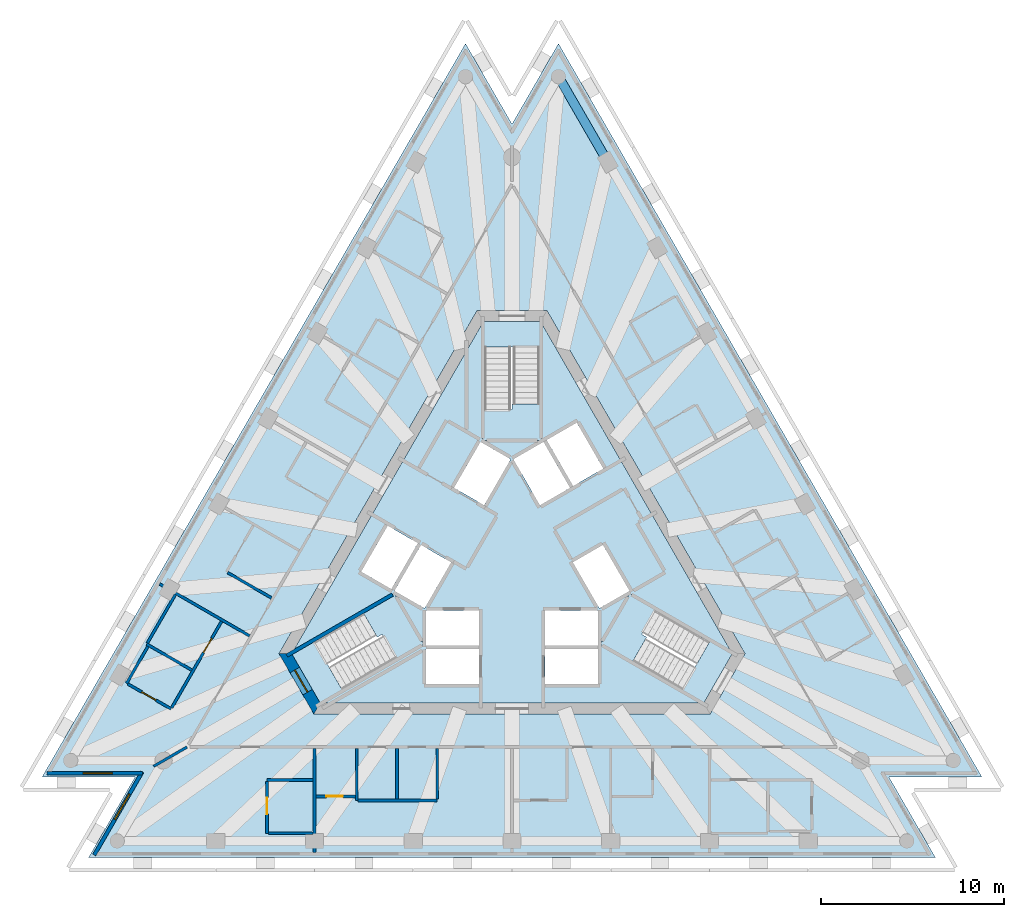
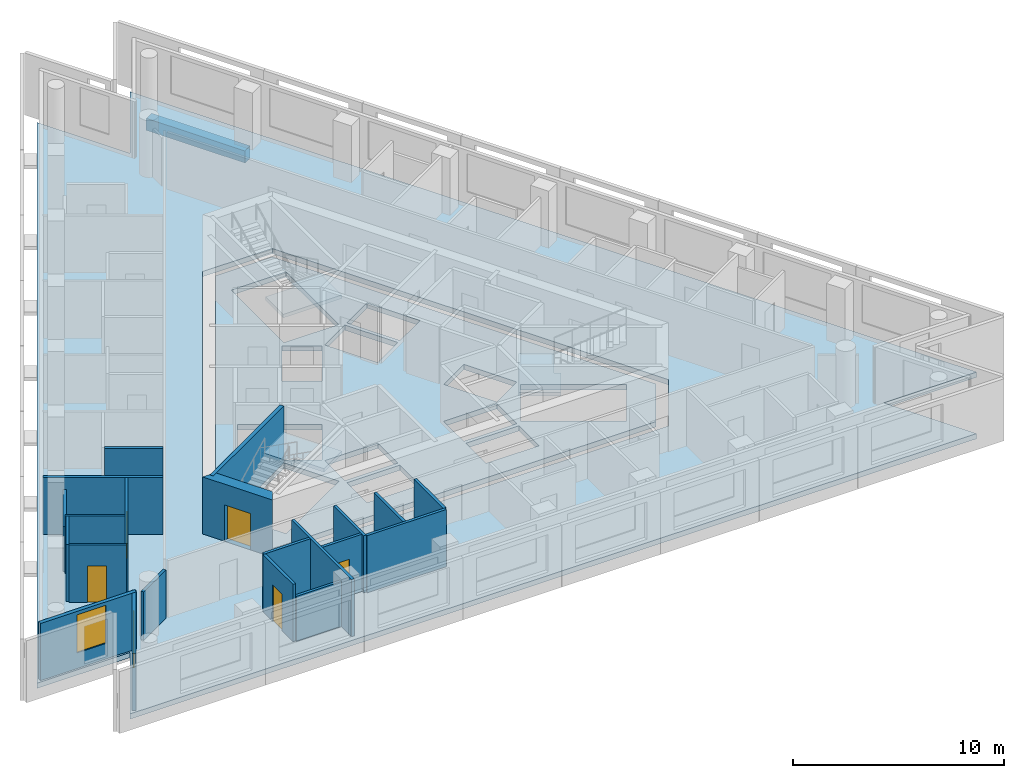
# One storey, part 2 of 10: 21 walls, 5 doors, 5 slabs, 2 windows, 1 beam, 7 openings, 3 elements without a shape of their own.
"""IFC4 building model written with IfcOpenShell, lengths in metres."""

from ifc_helpers import new_model, si_unit, direction, frame, frame_2d, origin, origin_2d, place, context, subcontext, project, spatial, polyline, rectangle, outline, extrude, material, layer, layer_set, layer_usage, material_profile, profile_set, type_object, element, fill, aggregate, save


model = new_model("IFC4")

# Units and contexts
model_context = context("Model", 3, precision=1e-05, world=origin(), true_north=direction((0.0, 1.0)))
body_context = subcontext(model_context, "Body", "Model", "MODEL_VIEW")
ifc_project = project(units=[si_unit("LENGTHUNIT", "METRE"), si_unit("AREAUNIT", "SQUARE_METRE"), si_unit("VOLUMEUNIT", "CUBIC_METRE"), si_unit("PLANEANGLEUNIT", "RADIAN"), si_unit("MASSUNIT", "GRAM", prefix="KILO")], contexts=[model_context])

# Site, building, storey
site_placement = place(None, origin())
site = spatial("IfcSite", under=ifc_project, at=site_placement, CompositionType="ELEMENT")
building_placement = place(site_placement, origin())
building = spatial("IfcBuilding", under=site, at=building_placement, Name="Triada Interchange Tower", CompositionType="ELEMENT")
storey_placement = place(building_placement, frame((0.0, 0.0, 289.89990234375)))
storey = spatial("IfcBuildingStorey", under=building, at=storey_placement, Name="L68", CompositionType="ELEMENT", Elevation=289.89990234375)

# Beam
ifc_material_1 = material(Name="Concrete C50/60", Category="concrete")
ifc_material_profile = material_profile(ifc_material_1, rectangle(XDim=0.5, YDim=0.699951171875, at=origin_2d()), Name="RC 500x700")
ifc_profile_set = profile_set([ifc_material_profile], Name="Concrete C50/60")
beam_type = type_object("IfcBeamType", Name="Spandrel beam D RC 500x700", PredefinedType="BEAM", material=ifc_profile_set)
beam_placement = place(storey_placement, frame((5.236083984375, 21.7099609375, -0.64990234375), z_axis=(-0.49994052929, 0.866059736492, 0.0), x_axis=(-0.866059736492, -0.49994052929, 0.0)))
element("IfcBeam", 1, at=beam_placement, inside=storey, type_object=beam_type, Name="Spandrel beam ED28 L68", PredefinedType="BEAM", context=body_context, shape_type="SweptSolid", body=[
    extrude(rectangle(XDim=0.5, YDim=0.699951171875, at=origin_2d()), origin(), (0.0, 0.0, 1.0), 5.394775390625),
])

# Slabs
ifc_layer_1 = layer(ifc_material_1, 0.300048828125)
ifc_layer_set_1 = layer_set([ifc_layer_1], Name="Floor slab 300")
slab_type_1 = type_object("IfcSlabType", Name="Floor slab 300", PredefinedType="FLOOR", material=ifc_layer_set_1)
slab_1_placement = place(storey_placement, frame((0.0, 0.0, -0.2998046875)))
element("IfcSlab", 2, at=slab_1_placement, inside=storey, type_object=slab_type_1, Name="Floor slab L68", PredefinedType="FLOOR", context=body_context, shape_type="SweptSolid", body=[
    extrude(outline(polyline([(-2.5390625, 28.181884765625), (-25.676025390625, -11.89208984375), (-20.596923828125, -11.89208984375), (-23.135986328125, -16.2900390625), (23.135986328125, -16.2900390625), (20.596923828125, -11.89208984375), (25.676025390625, -11.89208984375), (2.5390625, 28.181884765625), (0.0, 23.782958984375), (-2.5390625, 28.181884765625)]), holes=[polyline([(1.905029296875, 13.60009765625), (-1.905029296875, 13.60009765625), (-12.73095703125, -5.14990234375), (-10.824951171875, -8.449951171875), (10.824951171875, -8.449951171875), (12.73095703125, -5.14990234375), (1.905029296875, 13.60009765625)])]), origin(), (0.0, 0.0, 1.0), 0.2998046875),
])
slab_2_placement = place(storey_placement, frame((0.0, 0.0, -0.2998046875)))
element("IfcSlab", 3, at=slab_2_placement, inside=storey, type_object=slab_type_1, Name="Core floor slab L68 1", PredefinedType="FLOOR", context=body_context, shape_type="SweptSolid", body=[
    extrude(outline(polyline([(12.0380859375, -5.14990234375), (10.47900390625, -7.85009765625), (-10.47900390625, -7.85009765625), (-12.0380859375, -5.14990234375), (-1.55908203125, 13.0), (1.55908203125, 13.0), (12.0380859375, -5.14990234375)]), holes=[polyline([(9.2958984375, -7.09912109375), (10.7958984375, -4.5009765625), (6.466064453125, -2.0009765625), (4.966064453125, -4.59912109375), (9.2958984375, -7.09912109375)]), polyline([(4.969970703125, 0.791015625), (3.324951171875, -0.158935546875), (4.77490234375, -2.669921875), (6.419921875, -1.719970703125), (4.969970703125, 0.791015625)]), polyline([(1.89404296875, 6.52001953125), (3.343994140625, 4.009033203125), (4.989013671875, 4.958984375), (3.5390625, 7.469970703125), (1.89404296875, 6.52001953125)]), polyline([(1.800048828125, -4.89990234375), (1.800048828125, -6.4990234375), (1.800048828125, -6.800048828125), (4.699951171875, -6.800048828125), (4.699951171875, -4.89990234375), (1.800048828125, -4.89990234375)]), polyline([(4.699951171875, -2.800048828125), (1.800048828125, -2.800048828125), (1.800048828125, -4.699951171875), (4.699951171875, -4.699951171875), (4.699951171875, -2.800048828125)]), polyline([(1.52490234375, 2.958984375), (2.594970703125, 3.576904296875), (3.169921875, 3.908935546875), (1.719970703125, 6.419921875), (0.074951171875, 5.469970703125), (1.52490234375, 2.958984375)]), polyline([(-1.5, 11.60009765625), (-1.5, 6.60009765625), (1.5, 6.60009765625), (1.5, 11.60009765625), (-1.5, 11.60009765625)]), polyline([(-1.52490234375, 2.958984375), (-0.074951171875, 5.469970703125), (-1.719970703125, 6.419921875), (-3.169921875, 3.908935546875), (-1.52490234375, 2.958984375)]), polyline([(-1.800048828125, -2.800048828125), (-4.699951171875, -2.800048828125), (-4.699951171875, -4.699951171875), (-1.800048828125, -4.699951171875), (-1.800048828125, -2.800048828125)]), polyline([(-4.699951171875, -6.800048828125), (-1.800048828125, -6.800048828125), (-1.800048828125, -6.4990234375), (-1.800048828125, -4.89990234375), (-4.699951171875, -4.89990234375), (-4.699951171875, -6.800048828125)]), polyline([(-3.427978515625, -0.09912109375), (-4.969970703125, 0.791015625), (-6.419921875, -1.719970703125), (-4.77490234375, -2.669921875), (-3.324951171875, -0.158935546875), (-3.427978515625, -0.09912109375)]), polyline([(-10.7958984375, -4.5009765625), (-9.2958984375, -7.09912109375), (-4.966064453125, -4.59912109375), (-6.466064453125, -2.0009765625), (-10.7958984375, -4.5009765625)]), polyline([(-6.593994140625, -1.6201171875), (-5.14404296875, 0.89111328125), (-6.7890625, 1.841064453125), (-8.239013671875, -0.669921875), (-6.593994140625, -1.6201171875)])]), origin(), (0.0, 0.0, 1.0), 0.2998046875),
])

# Stair, slab
ifc_material_2 = material(Name="Concrete C35/45", Category="concrete")
stair_type = type_object("IfcStairType", Name="HALF TURN STAIR 1400", PredefinedType="HALF_TURN_STAIR", material=ifc_material_2)
stair_1_placement = place(storey_placement, origin())
stair_1 = element("IfcStair", 4, at=stair_1_placement, inside=storey, type_object=stair_type, Name="Exit stair S68-1", PredefinedType="HALF_TURN_STAIR")
ifc_layer_2 = layer(ifc_material_2, 0.199951171875)
ifc_layer_set_2 = layer_set([ifc_layer_2], Name="STAIR LANDING 200")
slab_type_2 = type_object("IfcSlabType", Name="STAIR LANDING 200", PredefinedType="LANDING", material=ifc_layer_set_2)
slab_3_placement = place(storey_placement, frame((0.0, 0.0, 1.521728515625)))
slab_3 = element("IfcSlab", 5, at=slab_3_placement, type_object=slab_type_2, Name="S68-1 landing 1", PredefinedType="LANDING", context=body_context, shape_type="SweptSolid", body=[
    extrude(outline(polyline([(1.60009765625, 6.5), (1.60009765625, 8.5), (0.0, 8.5), (0.0, 8.18994140625), (-1.60009765625, 8.18994140625), (-1.60009765625, 6.5), (1.60009765625, 6.5)])), origin(), (0.0, 0.0, 1.0), 0.199951171875),
])
aggregate(stair_1, [slab_3])

stair_2_placement = place(storey_placement, origin())
stair_2 = element("IfcStair", 6, at=stair_2_placement, inside=storey, type_object=stair_type, Name="Exit stair S68-2", PredefinedType="HALF_TURN_STAIR")
slab_4_placement = place(storey_placement, frame((0.0, 0.0, 1.521728515625)))
slab_4 = element("IfcSlab", 7, at=slab_4_placement, type_object=slab_type_2, Name="S68-2 landing 1", PredefinedType="LANDING", context=body_context, shape_type="SweptSolid", body=[
    extrude(outline(polyline([(-6.428955078125, -1.864013671875), (-8.160888671875, -2.864013671875), (-7.361083984375, -4.25), (-7.093017578125, -4.094970703125), (-6.29296875, -5.48095703125), (-4.8291015625, -4.635986328125), (-6.428955078125, -1.864013671875)])), origin(), (0.0, 0.0, 1.0), 0.199951171875),
])
aggregate(stair_2, [slab_4])

stair_3_placement = place(storey_placement, origin())
stair_3 = element("IfcStair", 8, at=stair_3_placement, inside=storey, type_object=stair_type, Name="Exit stair S68-3", PredefinedType="HALF_TURN_STAIR")
slab_5_placement = place(storey_placement, frame((0.0, 0.0, 1.521728515625)))
slab_5 = element("IfcSlab", 9, at=slab_5_placement, type_object=slab_type_2, Name="S68-3 landing 1", PredefinedType="LANDING", context=body_context, shape_type="SweptSolid", body=[
    extrude(outline(polyline([(4.8291015625, -4.635986328125), (6.56103515625, -5.635986328125), (7.361083984375, -4.25), (7.093017578125, -4.094970703125), (7.89306640625, -2.708984375), (6.428955078125, -1.864013671875), (4.8291015625, -4.635986328125)])), origin(), (0.0, 0.0, 1.0), 0.199951171875),
])
aggregate(stair_3, [slab_5])

# Wall
ifc_material_3 = material(Name="Concrete C30/37", Category="concrete")
ifc_layer_3 = layer(ifc_material_3, 0.199951171875)
ifc_layer_set_3 = layer_set([ifc_layer_3], Name="CORE WALL 200 REI 240")
wall_type_1 = type_object("IfcWallType", Name="CORE WALL 200 REI 240", PredefinedType="SOLIDWALL", material=ifc_layer_set_3)
wall_1_placement = place(storey_placement, frame((-12.301025390625, -5.25390625, 0.0), z_axis=(0.0, 0.0, 1.0), x_axis=(0.866068467981, 0.499925403204, 0.0)))
element("IfcWall", 10, at=wall_1_placement, inside=storey, type_object=wall_type_1, Name="Wall L68 112", PredefinedType="SOLIDWALL", context=body_context, shape_type="SweptSolid", body=[
    extrude(rectangle(XDim=6.66455078125, YDim=0.199951171875, at=frame_2d((3.332275390625, 0.0))), origin(), (0.0, 0.0, 1.0), 3.300048828125),
])

# Wall, opening, door
ifc_material_4 = material(Name="Concrete C40/50", Category="concrete")
ifc_layer_4 = layer(ifc_material_4, 0.60009765625)
ifc_layer_set_4 = layer_set([ifc_layer_4], Name="Core wall D 600")
wall_type_2 = type_object("IfcWallType", Name="Core wall D 600", PredefinedType="SHEAR", material=ifc_layer_set_4)
wall_2_placement = place(storey_placement, frame((-12.384033203125, -5.14990234375, -0.2998046875), z_axis=(0.0, 0.0, 1.0), x_axis=(0.49997462182, -0.866040055388, 0.0)))
wall_2 = element("IfcWall", 11, at=wall_2_placement, inside=storey, type_object=wall_type_2, Name="Core wall WD03 L68", PredefinedType="SHEAR", context=body_context, shape_type="SweptSolid", body=[
    extrude(outline(polyline([(-0.173095703125, -0.301025390625), (1.73193359375, -0.300537109375), (3.636962890625, -0.300048828125), (3.291015625, 0.300048828125), (1.73193359375, 0.300048828125), (0.173095703125, 0.300048828125), (-0.173095703125, -0.301025390625)])), origin(), (0.0, 0.0, 1.0), 3.599853515625),
])
opening_1_placement = place(wall_2_placement, frame((1.031982421875, 0.0, 0.300048828125)))
opening_1 = element("IfcOpeningElement", 12, at=opening_1_placement, cuts=wall_2, Name="Opening D68-49", PredefinedType="OPENING", context=body_context, shape_type="SweptSolid", body=[
    extrude(rectangle(XDim=1.39990234375, YDim=2.10009765625, at=frame_2d((0.699951171875, 1.050048828125))), frame((0.0, 0.31005859375, 0.0), z_axis=(0.0, -1.0, 0.0), x_axis=(1.0, 0.0, 0.0)), (0.0, 0.0, 1.0), 0.62109375),
])
ifc_material_5 = material(Name="Steel S235 door leaf", Category="steel")
door_type_1 = type_object("IfcDoorType", Name="STAIR DOOR 1400 EI2 90-C5S200", OperationType="DOUBLE_DOOR_SINGLE_SWING", PredefinedType="DOOR", material=ifc_material_5)
door_1_placement = place(opening_1_placement, origin())
door_1 = element("IfcDoor", 13, at=door_1_placement, inside=storey, type_object=door_type_1, Name="Door D68-49 L68", OperationType="DOUBLE_DOOR_SINGLE_SWING", OverallHeight=2.10009765625, OverallWidth=1.39990234375, PredefinedType="DOOR", context=body_context, shape_type="SweptSolid", body=[
    extrude(rectangle(XDim=1.39990234375, YDim=2.10009765625, at=frame_2d((0.699951171875, 1.050048828125))), frame((0.0, 0.02490234375, 0.0), z_axis=(0.0, -1.0, 0.0), x_axis=(1.0, 0.0, 0.0)), (0.0, 0.0, 1.0), 0.050048828125),
])
fill(opening_1, door_1)

# Wall, opening, window
ifc_material_6 = material(Name="Cement board")
ifc_layer_5 = layer(ifc_material_6, 0.02001953125, Name="Cement board cladding")
ifc_material_7 = material(Name="Sheathing board")
ifc_layer_6 = layer(ifc_material_7, 0.014892578125, Name="Sheathing board")
ifc_material_8 = material(Name="Mineral wool")
ifc_layer_7 = layer(ifc_material_8, 0.14990234375, Name="Mineral wool between steel studs")
ifc_material_9 = material(Name="Gypsum board")
ifc_layer_8 = layer(ifc_material_9, 0.014892578125, Name="Plasterboard lining")
ifc_layer_set_5 = layer_set([ifc_layer_5, ifc_layer_6, ifc_layer_7, ifc_layer_8], Name="External wall 200")
ifc_layer_usage = layer_usage(ifc_layer_set_5, "AXIS2", "POSITIVE", -0.10009765625)
wall_type_3 = type_object("IfcWallType", Name="External wall 200", PredefinedType="ELEMENTEDWALL", material=ifc_layer_set_5)
wall_3_placement = place(storey_placement, frame((-25.419921875, -11.69189453125, 0.0), z_axis=(0.0, 0.0, 1.0), x_axis=(1.0, 0.0, 0.0)))
wall_3 = element("IfcWall", 14, at=wall_3_placement, inside=storey, type_object=wall_type_3, material=ifc_layer_usage, Name="External wall L68 SW-1", PredefinedType="ELEMENTEDWALL", context=body_context, shape_type="SweptSolid", body=[
    extrude(rectangle(XDim=5.239013671875, YDim=0.199951171875, at=frame_2d((2.61962890625, 0.0))), origin(), (0.0, 0.0, 1.0), 3.300048828125),
])
opening_2_placement = place(wall_3_placement, frame((1.989990234375, 0.0, 0.89990234375)))
opening_2 = element("IfcOpeningElement", 15, at=opening_2_placement, cuts=wall_3, Name="Opening WD09", PredefinedType="OPENING", context=body_context, shape_type="SweptSolid", body=[
    extrude(rectangle(XDim=1.60009765625, YDim=2.199951171875, at=frame_2d((0.800048828125, 1.10009765625))), frame((0.0, 0.10986328125, 0.0), z_axis=(0.0, -1.0, 0.0), x_axis=(1.0, 0.0, 0.0)), (0.0, 0.0, 1.0), 0.219970703125),
])
ifc_material_10 = material(Name="Double glazed aluminium window", Category="aluminium")
window_type = type_object("IfcWindowType", Name="Ribbon window D pocket", PartitioningType="SINGLE_PANEL", PredefinedType="WINDOW", material=ifc_material_10)
window_1_placement = place(opening_2_placement, origin())
window_1 = element("IfcWindow", 16, at=window_1_placement, inside=storey, type_object=window_type, Name="Window L68 SW-1 1", OverallHeight=2.199951171875, OverallWidth=1.60009765625, PartitioningType="SINGLE_PANEL", PredefinedType="WINDOW", context=body_context, shape_type="SweptSolid", body=[
    extrude(rectangle(XDim=1.60009765625, YDim=2.199951171875, at=frame_2d((0.800048828125, 1.10009765625))), frame((0.0, 0.030029296875, 0.0), z_axis=(0.0, -1.0, 0.0), x_axis=(1.0, 0.0, 0.0)), (0.0, 0.0, 1.0), 0.06005859375),
])
fill(opening_2, window_1)

wall_4_placement = place(storey_placement, frame((-20.2060546875, -11.614013671875, 0.0), z_axis=(0.0, 0.0, 1.0), x_axis=(-0.499933584342, -0.866063745487, 0.0)))
wall_4 = element("IfcWall", 17, at=wall_4_placement, inside=storey, type_object=wall_type_3, material=ifc_layer_usage, Name="External wall L68 SW-2", PredefinedType="ELEMENTEDWALL", context=body_context, shape_type="SweptSolid", body=[
    extrude(rectangle(XDim=5.238525390625, YDim=0.199951171875, at=frame_2d((2.619140625, 0.0))), origin(), (0.0, 0.0, 1.0), 3.300048828125),
])
opening_3_placement = place(wall_4_placement, frame((1.389892578125, 0.0, 0.89990234375)))
opening_3 = element("IfcOpeningElement", 18, at=opening_3_placement, cuts=wall_4, Name="Opening WD10", PredefinedType="OPENING", context=body_context, shape_type="SweptSolid", body=[
    extrude(rectangle(XDim=1.60009765625, YDim=2.199951171875, at=frame_2d((0.800048828125, 1.10009765625))), frame((0.0, 0.10986328125, 0.0), z_axis=(0.0, -1.0, 0.0), x_axis=(1.0, 0.0, 0.0)), (0.0, 0.0, 1.0), 0.219970703125),
])
window_2_placement = place(opening_3_placement, origin())
window_2 = element("IfcWindow", 19, at=window_2_placement, inside=storey, type_object=window_type, Name="Window L68 SW-2 1", OverallHeight=2.199951171875, OverallWidth=1.60009765625, PartitioningType="SINGLE_PANEL", PredefinedType="WINDOW", context=body_context, shape_type="SweptSolid", body=[
    extrude(rectangle(XDim=1.60009765625, YDim=2.199951171875, at=frame_2d((0.800048828125, 1.10009765625))), frame((0.0, 0.030029296875, 0.0), z_axis=(0.0, -1.0, 0.0), x_axis=(1.0, 0.0, 0.0)), (0.0, 0.0, 1.0), 0.06005859375),
])
fill(opening_3, window_2)

# Walls
ifc_material_11 = material(Name="Gypsum board partition")
ifc_layer_9 = layer(ifc_material_11, 0.14990234375)
ifc_layer_set_6 = layer_set([ifc_layer_9], Name="PARTITION 150 EI 180")
wall_type_4 = type_object("IfcWallType", Name="PARTITION 150 EI 180", PredefinedType="PARTITIONING", material=ifc_layer_set_6)
wall_5_placement = place(storey_placement, frame((-19.574951171875, -11.302001953125, 0.0), z_axis=(0.0, 0.0, 1.0), x_axis=(0.866013598413, 0.500020446946, 0.0)))
element("IfcWall", 20, at=wall_5_placement, inside=storey, type_object=wall_type_4, Name="Wall L68 1", PredefinedType="PARTITIONING", context=body_context, shape_type="SweptSolid", body=[
    extrude(rectangle(XDim=2.10400390625, YDim=0.14990234375, at=frame_2d((1.052001953125, 0.0))), origin(), (0.0, 0.0, 1.0), 2.800048828125),
])
wall_6_placement = place(storey_placement, frame((-19.259033203125, -1.339111328125, 0.0), z_axis=(0.0, 0.0, 1.0), x_axis=(0.86606758311, -0.499926936147, 0.0)))
element("IfcWall", 21, at=wall_6_placement, inside=storey, type_object=wall_type_4, Name="Wall L68 3", PredefinedType="PARTITIONING", context=body_context, shape_type="SweptSolid", body=[
    extrude(rectangle(XDim=5.684326171875, YDim=0.14990234375, at=frame_2d((2.84228515625, 0.0))), origin(), (0.0, 0.0, 1.0), 3.300048828125),
])
wall_7_placement = place(storey_placement, frame((-10.7880859375, -16.010009765625, 0.0), z_axis=(0.0, 0.0, 1.0), x_axis=(0.0, 1.0, 0.0)))
element("IfcWall", 22, at=wall_7_placement, inside=storey, type_object=wall_type_4, Name="Wall L68 10", PredefinedType="PARTITIONING", context=body_context, shape_type="SweptSolid", body=[
    extrude(rectangle(XDim=5.68505859375, YDim=0.14990234375, at=frame_2d((2.842529296875, 0.0))), origin(), (0.0, 0.0, 1.0), 3.300048828125),
])
wall_8_placement = place(storey_placement, frame((-8.488037109375, -13.169921875, 0.0), z_axis=(0.0, 0.0, 1.0), x_axis=(0.0, 1.0, 0.0)))
element("IfcWall", 23, at=wall_8_placement, inside=storey, type_object=wall_type_4, Name="Wall L68 12", PredefinedType="PARTITIONING", context=body_context, shape_type="SweptSolid", body=[
    extrude(rectangle(XDim=2.844970703125, YDim=0.14990234375, at=frame_2d((1.42236328125, 0.0))), origin(), (0.0, 0.0, 1.0), 3.300048828125),
])
wall_9_placement = place(storey_placement, frame((-8.4130859375, -13.169921875, 0.0), z_axis=(0.0, 0.0, 1.0), x_axis=(1.0, 0.0, 0.0)))
element("IfcWall", 24, at=wall_9_placement, inside=storey, type_object=wall_type_4, Name="Wall L68 13", PredefinedType="PARTITIONING", context=body_context, shape_type="SweptSolid", body=[
    extrude(rectangle(XDim=4.3251953125, YDim=0.14990234375, at=frame_2d((2.16259765625, 0.0))), origin(), (0.0, 0.0, 1.0), 3.300048828125),
])
for number, where, z_axis, x_axis, name in (
    (25, (-4.087890625, -13.094970703125, 0.0), (0.0, 0.0, 1.0), (0.0, 1.0, 0.0), "Wall L68 14"),
    (26, (-6.2880859375, -13.094970703125, 0.0), (0.0, 0.0, 1.0), (0.0, 1.0, 0.0), "Wall L68 15"),
):
    element("IfcWall", number, at=place(storey_placement, frame(where, z_axis=z_axis, x_axis=x_axis)), inside=storey, type_object=wall_type_4, Name=name, PredefinedType="PARTITIONING", context=body_context, shape_type="SweptSolid", body=[
        extrude(rectangle(XDim=2.77001953125, YDim=0.14990234375, at=frame_2d((1.385009765625, 0.0))), origin(), (0.0, 0.0, 1.0), 3.300048828125),
    ])
ifc_layer_10 = layer(ifc_material_11, 0.14990234375)
ifc_layer_set_7 = layer_set([ifc_layer_10], Name="PARTITION 150 EI 90")
wall_type_5 = type_object("IfcWallType", Name="PARTITION 150 EI 90", PredefinedType="PARTITIONING", material=ifc_layer_set_7)
wall_10_placement = place(storey_placement, frame((-19.958984375, -4.6298828125, 0.0), z_axis=(0.0, 0.0, 1.0), x_axis=(0.866085557634, -0.499895795999, 0.0)))
element("IfcWall", 27, at=wall_10_placement, inside=storey, type_object=wall_type_5, Name="Wall L68 28", PredefinedType="PARTITIONING", context=body_context, shape_type="SweptSolid", body=[
    extrude(rectangle(XDim=2.8447265625, YDim=0.14990234375, at=frame_2d((1.42236328125, 0.0))), origin(), (0.0, 0.0, 1.0), 3.300048828125),
])
wall_11_placement = place(storey_placement, frame((-21.054931640625, -6.76806640625, 0.0), z_axis=(0.0, 0.0, 1.0), x_axis=(0.499855809005, 0.866108636491, 0.0)))
element("IfcWall", 28, at=wall_11_placement, inside=storey, type_object=wall_type_5, Name="Wall L68 29", PredefinedType="PARTITIONING", context=body_context, shape_type="SweptSolid", body=[
    extrude(rectangle(XDim=2.324462890625, YDim=0.14990234375, at=frame_2d((1.162109375, 0.0))), origin(), (0.0, 0.0, 1.0), 3.300048828125),
])

# Wall, opening, door
wall_12_placement = place(storey_placement, frame((-20.989990234375, -6.805908203125, 0.0), z_axis=(0.0, 0.0, 1.0), x_axis=(0.866112488944, -0.499849133735, 0.0)))
wall_12 = element("IfcWall", 29, at=wall_12_placement, inside=storey, type_object=wall_type_5, Name="Wall L68 30", PredefinedType="PARTITIONING", context=body_context, shape_type="SweptSolid", body=[
    extrude(rectangle(XDim=2.724853515625, YDim=0.14990234375, at=frame_2d((1.3623046875, 0.0))), origin(), (0.0, 0.0, 1.0), 3.300048828125),
])
opening_4_placement = place(wall_12_placement, frame((0.875, 0.0, 0.0)))
opening_4 = element("IfcOpeningElement", 30, at=opening_4_placement, cuts=wall_12, Name="Opening D68-46", PredefinedType="OPENING", context=body_context, shape_type="SweptSolid", body=[
    extrude(rectangle(XDim=0.89990234375, YDim=2.10009765625, at=frame_2d((0.449951171875, 1.050048828125))), frame((0.0, 0.0849609375, 0.0), z_axis=(0.0, -1.0, 0.0), x_axis=(1.0, 0.0, 0.0)), (0.0, 0.0, 1.0), 0.169921875),
])
door_type_2 = type_object("IfcDoorType", Name="SERVICE DOOR 900 EI2 45-C5S200", OperationType="NOTDEFINED", PredefinedType="DOOR", material=ifc_material_5)
door_2_placement = place(opening_4_placement, origin())
door_2 = element("IfcDoor", 31, at=door_2_placement, inside=storey, type_object=door_type_2, Name="Door D68-46 L68", OperationType="SINGLE_SWING_LEFT", OverallHeight=2.10009765625, OverallWidth=0.89990234375, PredefinedType="DOOR", context=body_context, shape_type="SweptSolid", body=[
    extrude(rectangle(XDim=0.89990234375, YDim=2.10009765625, at=frame_2d((0.449951171875, 1.050048828125))), frame((0.0, 0.02490234375, 0.0), z_axis=(0.0, -1.0, 0.0), x_axis=(1.0, 0.0, 0.0)), (0.0, 0.0, 1.0), 0.050048828125),
])
fill(opening_4, door_2)

wall_13_placement = place(storey_placement, frame((-18.593017578125, -8.10302734375, 0.0), z_axis=(0.0, 0.0, 1.0), x_axis=(0.500080528864, 0.865978905431, 0.0)))
wall_13 = element("IfcWall", 32, at=wall_13_placement, inside=storey, type_object=wall_type_5, Name="Wall L68 31", PredefinedType="PARTITIONING", context=body_context, shape_type="SweptSolid", body=[
    extrude(rectangle(XDim=5.44921875, YDim=0.14990234375, at=frame_2d((2.724609375, 0.0))), origin(), (0.0, 0.0, 1.0), 3.300048828125),
])
opening_5_placement = place(wall_13_placement, frame((3.47509765625, 0.0, 0.0)))
opening_5 = element("IfcOpeningElement", 33, at=opening_5_placement, cuts=wall_13, Name="Opening D68-45", PredefinedType="OPENING", context=body_context, shape_type="SweptSolid", body=[
    extrude(rectangle(XDim=0.89990234375, YDim=2.10009765625, at=frame_2d((0.449951171875, 1.050048828125))), frame((0.0, 0.0849609375, 0.0), z_axis=(0.0, -1.0, 0.0), x_axis=(1.0, 0.0, 0.0)), (0.0, 0.0, 1.0), 0.169921875),
])
door_type_3 = type_object("IfcDoorType", Name="ROOM DOOR 900 EI2 45-C5S200", OperationType="NOTDEFINED", PredefinedType="DOOR", material=ifc_material_5)
door_3_placement = place(opening_5_placement, origin())
door_3 = element("IfcDoor", 34, at=door_3_placement, inside=storey, type_object=door_type_3, Name="Door D68-45 L68", OperationType="SINGLE_SWING_RIGHT", OverallHeight=2.10009765625, OverallWidth=0.89990234375, PredefinedType="DOOR", context=body_context, shape_type="SweptSolid", body=[
    extrude(rectangle(XDim=0.89990234375, YDim=2.10009765625, at=frame_2d((0.449951171875, 1.050048828125))), frame((0.0, 0.02490234375, 0.0), z_axis=(0.0, -1.0, 0.0), x_axis=(1.0, 0.0, 0.0)), (0.0, 0.0, 1.0), 0.050048828125),
])
fill(opening_5, door_3)

# Walls
wall_14_placement = place(storey_placement, frame((-19.9208984375, -4.56494140625, 0.0), z_axis=(0.0, 0.0, 1.0), x_axis=(0.500048162978, 0.86599759509, 0.0)))
element("IfcWall", 35, at=wall_14_placement, inside=storey, type_object=wall_type_5, Name="Wall L68 33", PredefinedType="PARTITIONING", context=body_context, shape_type="SweptSolid", body=[
    extrude(rectangle(XDim=3.049560546875, YDim=0.14990234375, at=frame_2d((1.52490234375, 0.0))), origin(), (0.0, 0.0, 1.0), 2.60009765625),
])
wall_15_placement = place(storey_placement, frame((-15.5380859375, -0.721923828125, 0.0), z_axis=(0.0, 0.0, 1.0), x_axis=(0.866049104564, -0.499958946799, 0.0)))
element("IfcWall", 36, at=wall_15_placement, inside=storey, type_object=wall_type_5, Name="Wall L68 37", PredefinedType="PARTITIONING", context=body_context, shape_type="SweptSolid", body=[
    extrude(rectangle(XDim=2.770263671875, YDim=0.14990234375, at=frame_2d((1.38525390625, 0.0))), origin(), (0.0, 0.0, 1.0), 3.300048828125),
])
wall_16_placement = place(storey_placement, frame((-13.387939453125, -12.050048828125, 0.0), z_axis=(0.0, 0.0, 1.0), x_axis=(1.0, 0.0, 0.0)))
element("IfcWall", 37, at=wall_16_placement, inside=storey, type_object=wall_type_5, Name="Wall L68 41", PredefinedType="PARTITIONING", context=body_context, shape_type="SweptSolid", body=[
    extrude(rectangle(XDim=2.52490234375, YDim=0.14990234375, at=frame_2d((1.262451171875, 0.0))), origin(), (0.0, 0.0, 1.0), 3.300048828125),
])

# Wall, opening, door
wall_17_placement = place(storey_placement, frame((-13.387939453125, -14.969970703125, 0.0), z_axis=(0.0, 0.0, 1.0), x_axis=(0.0, 1.0, 0.0)))
wall_17 = element("IfcWall", 38, at=wall_17_placement, inside=storey, type_object=wall_type_5, Name="Wall L68 43", PredefinedType="PARTITIONING", context=body_context, shape_type="SweptSolid", body=[
    extrude(rectangle(XDim=2.844970703125, YDim=0.14990234375, at=frame_2d((1.42236328125, 0.0))), origin(), (0.0, 0.0, 1.0), 3.300048828125),
])
opening_6_placement = place(wall_17_placement, frame((1.050048828125, 0.0, 0.0)))
opening_6 = element("IfcOpeningElement", 39, at=opening_6_placement, cuts=wall_17, Name="Opening D68-12", PredefinedType="OPENING", context=body_context, shape_type="SweptSolid", body=[
    extrude(rectangle(XDim=0.89990234375, YDim=2.10009765625, at=frame_2d((0.449951171875, 1.050048828125))), frame((0.0, 0.0849609375, 0.0), z_axis=(0.0, -1.0, 0.0), x_axis=(1.0, 0.0, 0.0)), (0.0, 0.0, 1.0), 0.169921875),
])
door_4_placement = place(opening_6_placement, origin())
door_4 = element("IfcDoor", 40, at=door_4_placement, inside=storey, type_object=door_type_3, Name="Door D68-12 L68", OperationType="SINGLE_SWING_RIGHT", OverallHeight=2.10009765625, OverallWidth=0.89990234375, PredefinedType="DOOR", context=body_context, shape_type="SweptSolid", body=[
    extrude(rectangle(XDim=0.89990234375, YDim=2.10009765625, at=frame_2d((0.449951171875, 1.050048828125))), frame((0.0, 0.02490234375, 0.0), z_axis=(0.0, -1.0, 0.0), x_axis=(1.0, 0.0, 0.0)), (0.0, 0.0, 1.0), 0.050048828125),
])
fill(opening_6, door_4)

# Wall
wall_18_placement = place(storey_placement, frame((-13.31298828125, -14.969970703125, 0.0), z_axis=(0.0, 0.0, 1.0), x_axis=(1.0, 0.0, 0.0)))
element("IfcWall", 41, at=wall_18_placement, inside=storey, type_object=wall_type_5, Name="Wall L68 44", PredefinedType="PARTITIONING", context=body_context, shape_type="SweptSolid", body=[
    extrude(rectangle(XDim=2.449951171875, YDim=0.14990234375, at=frame_2d((1.22509765625, 0.0))), origin(), (0.0, 0.0, 1.0), 2.60009765625),
])

# Wall, opening, door
wall_19_placement = place(storey_placement, frame((-10.712890625, -12.949951171875, 0.0), z_axis=(0.0, 0.0, 1.0), x_axis=(1.0, 0.0, 0.0)))
wall_19 = element("IfcWall", 42, at=wall_19_placement, inside=storey, type_object=wall_type_5, Name="Wall L68 46", PredefinedType="PARTITIONING", context=body_context, shape_type="SweptSolid", body=[
    extrude(rectangle(XDim=2.14990234375, YDim=0.14990234375, at=frame_2d((1.074951171875, 0.0))), origin(), (0.0, 0.0, 1.0), 3.300048828125),
])
opening_7_placement = place(wall_19_placement, frame((0.574951171875, 0.0, 0.0)))
opening_7 = element("IfcOpeningElement", 43, at=opening_7_placement, cuts=wall_19, Name="Opening D68-14", PredefinedType="OPENING", context=body_context, shape_type="SweptSolid", body=[
    extrude(rectangle(XDim=0.89990234375, YDim=2.10009765625, at=frame_2d((0.449951171875, 1.050048828125))), frame((0.0, 0.0849609375, 0.0), z_axis=(0.0, -1.0, 0.0), x_axis=(1.0, 0.0, 0.0)), (0.0, 0.0, 1.0), 0.169921875),
])
door_5_placement = place(opening_7_placement, origin())
door_5 = element("IfcDoor", 44, at=door_5_placement, inside=storey, type_object=door_type_3, Name="Door D68-14 L68", OperationType="SINGLE_SWING_LEFT", OverallHeight=2.10009765625, OverallWidth=0.89990234375, PredefinedType="DOOR", context=body_context, shape_type="SweptSolid", body=[
    extrude(rectangle(XDim=0.89990234375, YDim=2.10009765625, at=frame_2d((0.449951171875, 1.050048828125))), frame((0.0, 0.02490234375, 0.0), z_axis=(0.0, -1.0, 0.0), x_axis=(1.0, 0.0, 0.0)), (0.0, 0.0, 1.0), 0.050048828125),
])
fill(opening_7, door_5)

save(model, "model.ifc")
